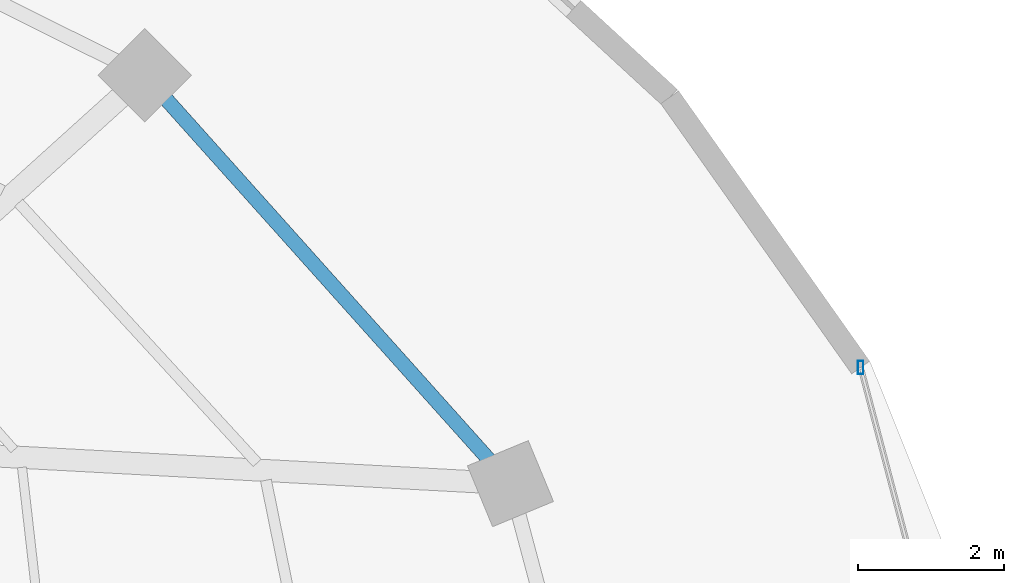
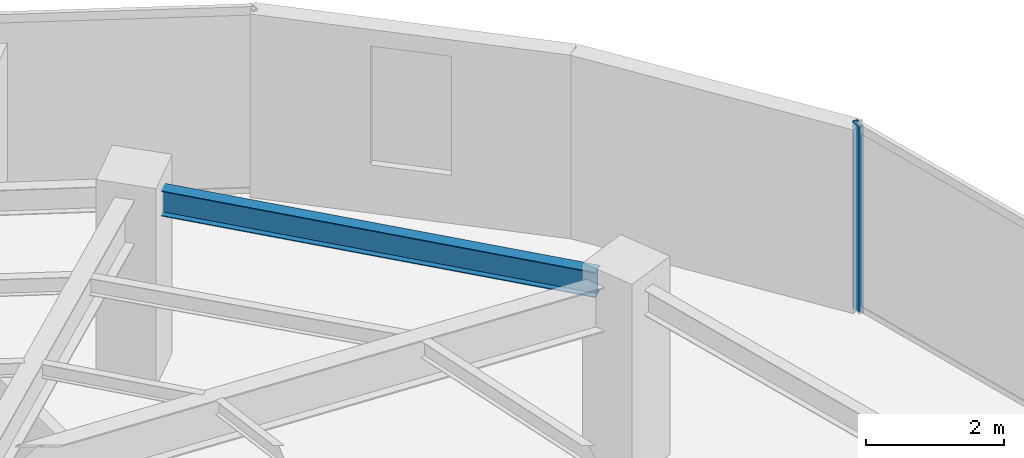
# One storey, part 16 of 33: 1 beam, 1 member, 1 element without a shape of its own.
"""IFC4 building model written with IfcOpenShell, lengths in metres."""

from ifc_helpers import new_model, si_unit, direction, frame, origin, origin_2d, place, context, subcontext, project, spatial, hollow_rectangle, i_section, extrude, material, material_profile, profile_set, type_object, element, aggregate, save


model = new_model("IFC4")

# Units and contexts
model_context = context("Model", 3, precision=1e-05, world=origin(), true_north=direction((0.0, 1.0)))
body_context = subcontext(model_context, "Body", "Model", "MODEL_VIEW")
ifc_project = project(units=[si_unit("LENGTHUNIT", "METRE"), si_unit("AREAUNIT", "SQUARE_METRE"), si_unit("VOLUMEUNIT", "CUBIC_METRE"), si_unit("PLANEANGLEUNIT", "RADIAN"), si_unit("MASSUNIT", "GRAM", prefix="KILO")], contexts=[model_context])

# Site, building, storey
site_placement = place(None, origin())
site = spatial("IfcSite", under=ifc_project, at=site_placement, CompositionType="ELEMENT")
building_placement = place(site_placement, origin())
building = spatial("IfcBuilding", under=site, at=building_placement, Name="Vorneva Point Tower", CompositionType="ELEMENT")
storey_placement = place(building_placement, frame((0.0, 0.0, 196.60009765625)))
storey = spatial("IfcBuildingStorey", under=building, at=storey_placement, Name="L53", CompositionType="ELEMENT", Elevation=196.60009765625)

# Beam
ifc_material_1 = material(Name="Steel S355", Category="steel")
ifc_material_profile_1 = material_profile(ifc_material_1, i_section(OverallWidth=0.198974609375, OverallDepth=0.446044921875, WebThickness=0.008056640625, FlangeThickness=0.011962890625, at=origin_2d()), Name="45B1")
ifc_profile_set_1 = profile_set([ifc_material_profile_1], Name="Steel S355")
beam_type = type_object("IfcBeamType", Name="BM-SPN-45B1", PredefinedType="SPANDREL", material=ifc_profile_set_1)
beam_placement = place(storey_placement, frame((59.005126953125, 32.90625, 3.016845703125), z_axis=(-0.66706970547, 0.744995307397, 0.0), x_axis=(-0.744995307397, -0.66706970547, 0.0)))
element("IfcBeam", 1, at=beam_placement, inside=storey, type_object=beam_type, Name="L53 Perimeter Spandrel Ring Beam 02", PredefinedType="SPANDREL", context=body_context, shape_type="SweptSolid", body=[
    extrude(i_section(OverallWidth=0.198974609375, OverallDepth=0.446044921875, WebThickness=0.008056640625, FlangeThickness=0.011962890625, at=origin_2d()), origin(), (0.0, 0.0, 1.0), 6.6201171875),
])

# Curtain wall, member
ifc_material_2 = material(Name="Pale anodised aluminium", Category="aluminium")
curtain_wall_type = type_object("IfcCurtainWallType", Name="CW-RES-SYS", PredefinedType="NOTDEFINED", material=ifc_material_2)
curtain_wall_placement = place(storey_placement, origin())
curtain_wall = element("IfcCurtainWall", 2, at=curtain_wall_placement, inside=storey, type_object=curtain_wall_type, Name="L53 Unitised Curtain Wall CW-L53-R01", PredefinedType="NOTDEFINED")
ifc_material_profile_2 = material_profile(ifc_material_2, hollow_rectangle(XDim=0.074951171875, YDim=0.179931640625, WallThickness=0.00390625, at=origin_2d()), Name="AL-MUL 180x75x4")
ifc_profile_set_2 = profile_set([ifc_material_profile_2], Name="Pale anodised aluminium")
member_type = type_object("IfcMemberType", Name="CW-MUL-180", PredefinedType="MULLION", material=ifc_profile_set_2)
member_placement = place(storey_placement, frame((64.0810546875, 34.17041015625, -0.0400390625), z_axis=(0.0, 0.0, 1.0), x_axis=(1.0, 0.0, 0.0)))
member = element("IfcMember", 3, at=member_placement, type_object=member_type, Name="CW-L53-R01 Mullion 03", PredefinedType="MULLION", context=body_context, shape_type="SweptSolid", body=[
    extrude(hollow_rectangle(XDim=0.074951171875, YDim=0.179931640625, WallThickness=0.00390625, at=origin_2d()), origin(), (0.0, 0.0, 1.0), 3.31005859375),
])
aggregate(curtain_wall, [member])

save(model, "model.ifc")
